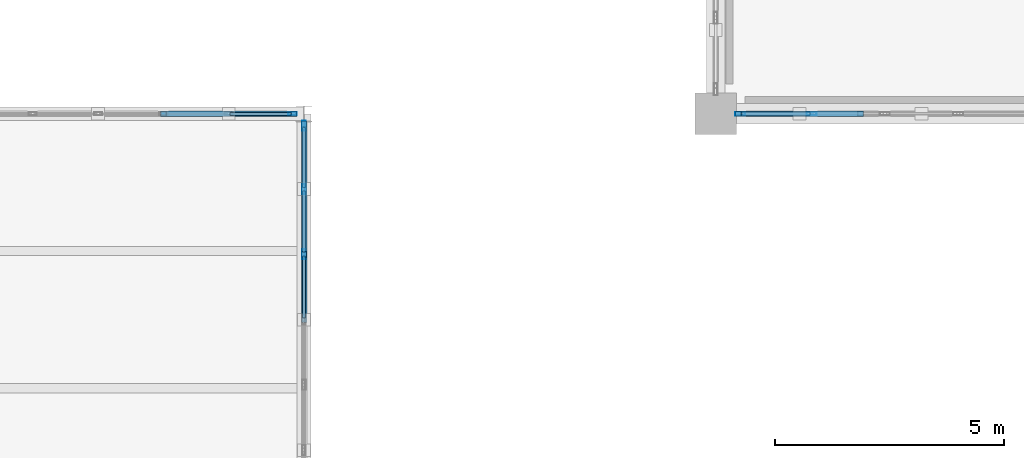
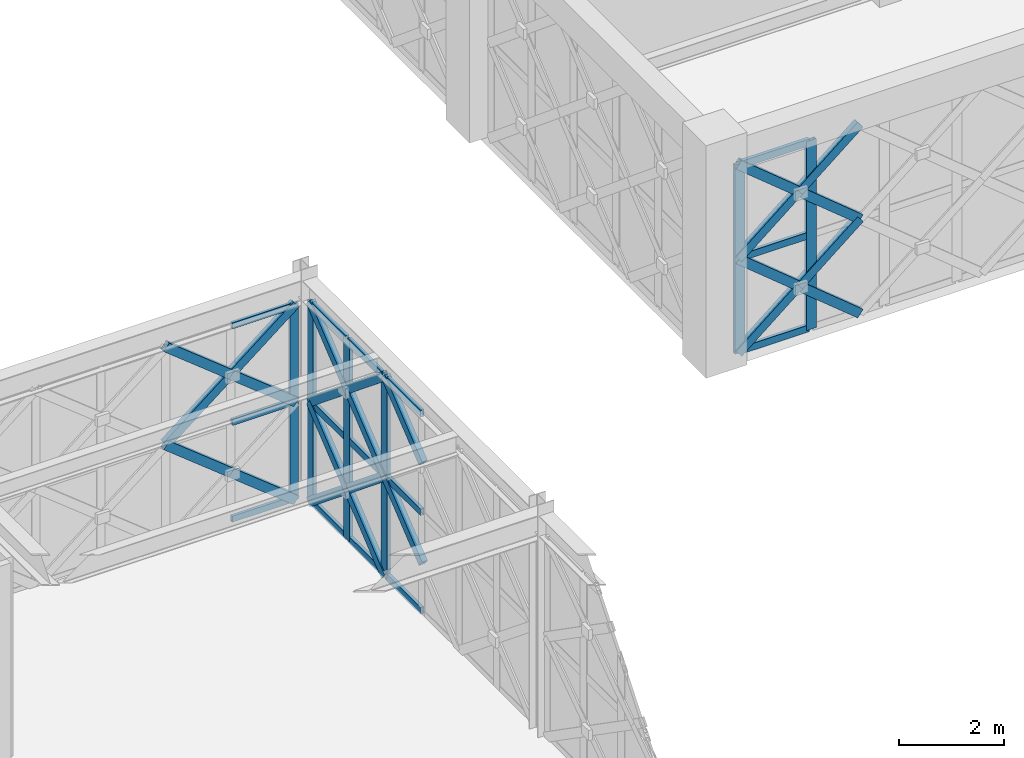
# One storey, part 44 of 166: 40 members, 3 elements without a shape of their own.
"""IFC4 building model written with IfcOpenShell, lengths in metres."""

from ifc_helpers import new_model, si_unit, direction, frame, origin, origin_2d, place, context, subcontext, project, spatial, hollow_rectangle, extrude, material, material_profile, profile_set, type_object, element, aggregate, save


model = new_model("IFC4")

# Units and contexts
model_context = context("Model", 3, precision=1e-05, world=origin(), true_north=direction((0.0, 1.0)))
body_context = subcontext(model_context, "Body", "Model", "MODEL_VIEW")
ifc_project = project(units=[si_unit("LENGTHUNIT", "METRE"), si_unit("AREAUNIT", "SQUARE_METRE"), si_unit("VOLUMEUNIT", "CUBIC_METRE"), si_unit("PLANEANGLEUNIT", "RADIAN"), si_unit("MASSUNIT", "GRAM", prefix="KILO")], contexts=[model_context])

# Site, building, storey
site_placement = place(None, origin())
site = spatial("IfcSite", under=ifc_project, at=site_placement, CompositionType="ELEMENT")
building_placement = place(site_placement, origin())
building = spatial("IfcBuilding", under=site, at=building_placement, Name="Haizhuo Lancet Aquarium", CompositionType="ELEMENT")
storey_placement = place(building_placement, frame((0.0, 0.0, 5.39990234375)))
storey = spatial("IfcBuildingStorey", under=building, at=storey_placement, Name="L01", CompositionType="ELEMENT", Elevation=5.39990234375)

# Curtain wall, member
ifc_material_1 = material(Name="Aluminium 6063-T6", Category="aluminium")
curtain_wall_type_1 = type_object("IfcCurtainWallType", Name="CWO-8560x4550", PredefinedType="NOTDEFINED", material=ifc_material_1)
curtain_wall_1_placement = place(storey_placement, origin())
curtain_wall_1 = element("IfcCurtainWall", 1, at=curtain_wall_1_placement, inside=storey, type_object=curtain_wall_type_1, Name="L01 curtain wall CW-V4-L01-094", PredefinedType="NOTDEFINED")
ifc_material_profile_1 = material_profile(ifc_material_1, hollow_rectangle(XDim=0.06494140625, YDim=0.179931640625, WallThickness=0.00390625, at=origin_2d()), Name="ALU-M 65x180x4")
ifc_profile_set_1 = profile_set([ifc_material_profile_1], Name="Aluminium 6063-T6")
member_type_1 = type_object("IfcMemberType", Name="CW-MUL-1", PredefinedType="MULLION", material=ifc_profile_set_1)
member_1_placement = place(storey_placement, frame((17.748046875, -36.0, 0.0), z_axis=(0.0, 0.0, 1.0), x_axis=(0.0, 1.0, 0.0)))
member_1 = element("IfcMember", 2, at=member_1_placement, type_object=member_type_1, Name="CWO-85x45 mullion 7", PredefinedType="MULLION", context=body_context, shape_type="SweptSolid", body=[
    extrude(hollow_rectangle(XDim=0.06494140625, YDim=0.179931640625, WallThickness=0.00390625, at=origin_2d()), origin(), (0.0, 0.0, 1.0), 4.552001953125),
])

# Curtain wall, members
curtain_wall_type_2 = type_object("IfcCurtainWallType", Name="CWO-8010x4390", PredefinedType="NOTDEFINED", material=ifc_material_1)
curtain_wall_2_placement = place(storey_placement, origin())
curtain_wall_2 = element("IfcCurtainWall", 3, at=curtain_wall_2_placement, inside=storey, type_object=curtain_wall_type_2, Name="L01 curtain wall CW-V3-L01-047", PredefinedType="NOTDEFINED")
ifc_material_profile_2 = material_profile(ifc_material_1, hollow_rectangle(XDim=0.074951171875, YDim=0.219970703125, WallThickness=0.0048828125, at=origin_2d()), Name="ALU-M 75x220x5")
ifc_profile_set_2 = profile_set([ifc_material_profile_2], Name="Aluminium 6063-T6")
member_type_2 = type_object("IfcMemberType", Name="CW-MUL-2", PredefinedType="MULLION", material=ifc_profile_set_2)
member_2_placement = place(storey_placement, frame((29.096923828125, -36.0, 0.0), z_axis=(0.0, 0.0, 1.0), x_axis=(0.0, -1.0, 0.0)))
member_2 = element("IfcMember", 4, at=member_2_placement, type_object=member_type_2, Name="CWO-80x43 mullion 5", PredefinedType="MULLION", context=body_context, shape_type="SweptSolid", body=[
    extrude(hollow_rectangle(XDim=0.074951171875, YDim=0.219970703125, WallThickness=0.0048828125, at=origin_2d()), origin(), (0.0, 0.0, 1.0), 4.39013671875),
])
member_3_placement = place(storey_placement, frame((27.531982421875, -36.0, 0.0), z_axis=(0.0, 0.0, 1.0), x_axis=(0.0, -1.0, 0.0)))
member_3 = element("IfcMember", 5, at=member_3_placement, type_object=member_type_2, Name="CWO-80x43 mullion 6", PredefinedType="MULLION", context=body_context, shape_type="SweptSolid", body=[
    extrude(hollow_rectangle(XDim=0.074951171875, YDim=0.219970703125, WallThickness=0.0048828125, at=origin_2d()), origin(), (0.0, 0.0, 1.0), 4.39013671875),
])

curtain_wall_type_3 = type_object("IfcCurtainWallType", Name="CWO-8560x4650", PredefinedType="NOTDEFINED", material=ifc_material_1)
curtain_wall_3_placement = place(storey_placement, origin())
curtain_wall_3 = element("IfcCurtainWall", 6, at=curtain_wall_3_placement, inside=storey, type_object=curtain_wall_type_3, Name="L01 curtain wall CW-V4-L01-095", PredefinedType="NOTDEFINED")
member_4_placement = place(storey_placement, frame((18.0, -36.258056640625, 0.0), z_axis=(0.0, 0.0, 1.0), x_axis=(1.0, 0.0, 0.0)))
member_4 = element("IfcMember", 7, at=member_4_placement, type_object=member_type_2, Name="CWO-85x46 mullion 1", PredefinedType="MULLION", context=body_context, shape_type="SweptSolid", body=[
    extrude(hollow_rectangle(XDim=0.074951171875, YDim=0.219970703125, WallThickness=0.0048828125, at=origin_2d()), origin(), (0.0, 0.0, 1.0), 4.652099609375),
])
member_5_placement = place(storey_placement, frame((18.0, -37.64697265625, 0.0), z_axis=(0.0, 0.0, 1.0), x_axis=(1.0, 0.0, 0.0)))
member_5 = element("IfcMember", 8, at=member_5_placement, type_object=member_type_2, Name="CWO-85x46 mullion 2", PredefinedType="MULLION", context=body_context, shape_type="SweptSolid", body=[
    extrude(hollow_rectangle(XDim=0.074951171875, YDim=0.219970703125, WallThickness=0.0048828125, at=origin_2d()), origin(), (0.0, 0.0, 1.0), 4.652099609375),
])
member_6_placement = place(storey_placement, frame((18.0, -39.072998046875, 0.0), z_axis=(0.0, 0.0, 1.0), x_axis=(1.0, 0.0, 0.0)))
member_6 = element("IfcMember", 9, at=member_6_placement, type_object=member_type_2, Name="CWO-85x46 mullion 3", PredefinedType="MULLION", context=body_context, shape_type="SweptSolid", body=[
    extrude(hollow_rectangle(XDim=0.074951171875, YDim=0.219970703125, WallThickness=0.0048828125, at=origin_2d()), origin(), (0.0, 0.0, 1.0), 4.652099609375),
])

# Member
ifc_material_profile_3 = material_profile(ifc_material_1, hollow_rectangle(XDim=0.06494140625, YDim=0.139892578125, WallThickness=0.00390625, at=origin_2d()), Name="ALU-T 65x140x4")
ifc_profile_set_3 = profile_set([ifc_material_profile_3], Name="Aluminium 6063-T6")
member_type_3 = type_object("IfcMemberType", Name="CW-TRN-1", PredefinedType="NOTDEFINED", material=ifc_profile_set_3)
member_7_placement = place(storey_placement, frame((16.385986328125, -36.0, 0.033203125), z_axis=(1.0, 0.0, 0.0), x_axis=(0.0, 1.0, 0.0)))
member_7 = element("IfcMember", 10, at=member_7_placement, type_object=member_type_3, Name="CWO-85x45 transom 6.1", ObjectType="TRANSOM", PredefinedType="USERDEFINED", context=body_context, shape_type="SweptSolid", body=[
    extrude(hollow_rectangle(XDim=0.06494140625, YDim=0.139892578125, WallThickness=0.00390625, at=origin_2d()), origin(), (0.0, 0.0, 1.0), 1.3291015625),
])

member_8_placement = place(storey_placement, frame((16.385986328125, -36.0, 2.276123046875), z_axis=(1.0, 0.0, 0.0), x_axis=(0.0, 1.0, 0.0)))
member_8 = element("IfcMember", 11, at=member_8_placement, type_object=member_type_3, Name="CWO-85x45 transom 6.2", ObjectType="TRANSOM", PredefinedType="USERDEFINED", context=body_context, shape_type="SweptSolid", body=[
    extrude(hollow_rectangle(XDim=0.06494140625, YDim=0.139892578125, WallThickness=0.00390625, at=origin_2d()), origin(), (0.0, 0.0, 1.0), 1.3291015625),
])

member_9_placement = place(storey_placement, frame((16.385986328125, -36.0, 4.51904296875), z_axis=(1.0, 0.0, 0.0), x_axis=(0.0, 1.0, 0.0)))
member_9 = element("IfcMember", 12, at=member_9_placement, type_object=member_type_3, Name="CWO-85x45 transom 6.3", ObjectType="TRANSOM", PredefinedType="USERDEFINED", context=body_context, shape_type="SweptSolid", body=[
    extrude(hollow_rectangle(XDim=0.06494140625, YDim=0.139892578125, WallThickness=0.00390625, at=origin_2d()), origin(), (0.0, 0.0, 1.0), 1.3291015625),
])

aggregate(curtain_wall_1, [member_1, member_7, member_8, member_9])

ifc_material_profile_4 = material_profile(ifc_material_1, hollow_rectangle(XDim=0.074951171875, YDim=0.159912109375, WallThickness=0.00390625, at=origin_2d()), Name="ALU-T 75x160x4")
ifc_profile_set_4 = profile_set([ifc_material_profile_4], Name="Aluminium 6063-T6")
member_type_4 = type_object("IfcMemberType", Name="CW-TRN-2", PredefinedType="NOTDEFINED", material=ifc_profile_set_4)
member_10_placement = place(storey_placement, frame((29.05908203125, -36.0, 0.0380859375), z_axis=(-1.0, 0.0, 0.0), x_axis=(0.0, -1.0, 0.0)))
member_10 = element("IfcMember", 13, at=member_10_placement, type_object=member_type_4, Name="CWO-80x43 transom 5.1", ObjectType="TRANSOM", PredefinedType="USERDEFINED", context=body_context, shape_type="SweptSolid", body=[
    extrude(hollow_rectangle(XDim=0.074951171875, YDim=0.159912109375, WallThickness=0.00390625, at=origin_2d()), origin(), (0.0, 0.0, 1.0), 1.489013671875),
])

member_11_placement = place(storey_placement, frame((29.05908203125, -36.0, 2.195068359375), z_axis=(-1.0, 0.0, 0.0), x_axis=(0.0, -1.0, 0.0)))
member_11 = element("IfcMember", 14, at=member_11_placement, type_object=member_type_4, Name="CWO-80x43 transom 5.2", ObjectType="TRANSOM", PredefinedType="USERDEFINED", context=body_context, shape_type="SweptSolid", body=[
    extrude(hollow_rectangle(XDim=0.074951171875, YDim=0.159912109375, WallThickness=0.00390625, at=origin_2d()), origin(), (0.0, 0.0, 1.0), 1.489013671875),
])

member_12_placement = place(storey_placement, frame((29.05908203125, -36.0, 4.35205078125), z_axis=(-1.0, 0.0, 0.0), x_axis=(0.0, -1.0, 0.0)))
member_12 = element("IfcMember", 15, at=member_12_placement, type_object=member_type_4, Name="CWO-80x43 transom 5.3", ObjectType="TRANSOM", PredefinedType="USERDEFINED", context=body_context, shape_type="SweptSolid", body=[
    extrude(hollow_rectangle(XDim=0.074951171875, YDim=0.159912109375, WallThickness=0.00390625, at=origin_2d()), origin(), (0.0, 0.0, 1.0), 1.489013671875),
])

aggregate(curtain_wall_2, [member_2, member_3, member_10, member_11, member_12])

member_13_placement = place(storey_placement, frame((18.0, -36.294921875, 0.0380859375), z_axis=(0.0, -1.0, 0.0), x_axis=(1.0, 0.0, 0.0)))
member_13 = element("IfcMember", 16, at=member_13_placement, type_object=member_type_4, Name="CWO-85x46 transom 1.1", ObjectType="TRANSOM", PredefinedType="USERDEFINED", context=body_context, shape_type="SweptSolid", body=[
    extrude(hollow_rectangle(XDim=0.074951171875, YDim=0.159912109375, WallThickness=0.00390625, at=origin_2d()), origin(), (0.0, 0.0, 1.0), 1.31396484375),
])

member_14_placement = place(storey_placement, frame((18.0, -36.294921875, 2.326171875), z_axis=(0.0, -1.0, 0.0), x_axis=(1.0, 0.0, 0.0)))
member_14 = element("IfcMember", 17, at=member_14_placement, type_object=member_type_4, Name="CWO-85x46 transom 1.2", ObjectType="TRANSOM", PredefinedType="USERDEFINED", context=body_context, shape_type="SweptSolid", body=[
    extrude(hollow_rectangle(XDim=0.074951171875, YDim=0.159912109375, WallThickness=0.00390625, at=origin_2d()), origin(), (0.0, 0.0, 1.0), 1.31396484375),
])

member_15_placement = place(storey_placement, frame((18.0, -36.294921875, 4.614013671875), z_axis=(0.0, -1.0, 0.0), x_axis=(1.0, 0.0, 0.0)))
member_15 = element("IfcMember", 18, at=member_15_placement, type_object=member_type_4, Name="CWO-85x46 transom 1.3", ObjectType="TRANSOM", PredefinedType="USERDEFINED", context=body_context, shape_type="SweptSolid", body=[
    extrude(hollow_rectangle(XDim=0.074951171875, YDim=0.159912109375, WallThickness=0.00390625, at=origin_2d()), origin(), (0.0, 0.0, 1.0), 1.31396484375),
])

member_16_placement = place(storey_placement, frame((18.0, -37.68408203125, 0.0380859375), z_axis=(0.0, -1.0, 0.0), x_axis=(1.0, 0.0, 0.0)))
member_16 = element("IfcMember", 19, at=member_16_placement, type_object=member_type_4, Name="CWO-85x46 transom 2.1", ObjectType="TRANSOM", PredefinedType="USERDEFINED", context=body_context, shape_type="SweptSolid", body=[
    extrude(hollow_rectangle(XDim=0.074951171875, YDim=0.159912109375, WallThickness=0.00390625, at=origin_2d()), origin(), (0.0, 0.0, 1.0), 1.351806640625),
])

member_17_placement = place(storey_placement, frame((18.0, -37.68408203125, 2.326171875), z_axis=(0.0, -1.0, 0.0), x_axis=(1.0, 0.0, 0.0)))
member_17 = element("IfcMember", 20, at=member_17_placement, type_object=member_type_4, Name="CWO-85x46 transom 2.2", ObjectType="TRANSOM", PredefinedType="USERDEFINED", context=body_context, shape_type="SweptSolid", body=[
    extrude(hollow_rectangle(XDim=0.074951171875, YDim=0.159912109375, WallThickness=0.00390625, at=origin_2d()), origin(), (0.0, 0.0, 1.0), 1.351806640625),
])

member_18_placement = place(storey_placement, frame((18.0, -37.68408203125, 4.614013671875), z_axis=(0.0, -1.0, 0.0), x_axis=(1.0, 0.0, 0.0)))
member_18 = element("IfcMember", 21, at=member_18_placement, type_object=member_type_4, Name="CWO-85x46 transom 2.3", ObjectType="TRANSOM", PredefinedType="USERDEFINED", context=body_context, shape_type="SweptSolid", body=[
    extrude(hollow_rectangle(XDim=0.074951171875, YDim=0.159912109375, WallThickness=0.00390625, at=origin_2d()), origin(), (0.0, 0.0, 1.0), 1.351806640625),
])

member_19_placement = place(storey_placement, frame((18.0, -39.111083984375, 0.0380859375), z_axis=(0.0, -1.0, 0.0), x_axis=(1.0, 0.0, 0.0)))
member_19 = element("IfcMember", 22, at=member_19_placement, type_object=member_type_4, Name="CWO-85x46 transom 3.1", ObjectType="TRANSOM", PredefinedType="USERDEFINED", context=body_context, shape_type="SweptSolid", body=[
    extrude(hollow_rectangle(XDim=0.074951171875, YDim=0.159912109375, WallThickness=0.00390625, at=origin_2d()), origin(), (0.0, 0.0, 1.0), 1.350830078125),
])

member_20_placement = place(storey_placement, frame((18.0, -39.111083984375, 2.326171875), z_axis=(0.0, -1.0, 0.0), x_axis=(1.0, 0.0, 0.0)))
member_20 = element("IfcMember", 23, at=member_20_placement, type_object=member_type_4, Name="CWO-85x46 transom 3.2", ObjectType="TRANSOM", PredefinedType="USERDEFINED", context=body_context, shape_type="SweptSolid", body=[
    extrude(hollow_rectangle(XDim=0.074951171875, YDim=0.159912109375, WallThickness=0.00390625, at=origin_2d()), origin(), (0.0, 0.0, 1.0), 1.350830078125),
])

member_21_placement = place(storey_placement, frame((18.0, -39.111083984375, 4.614013671875), z_axis=(0.0, -1.0, 0.0), x_axis=(1.0, 0.0, 0.0)))
member_21 = element("IfcMember", 24, at=member_21_placement, type_object=member_type_4, Name="CWO-85x46 transom 3.3", ObjectType="TRANSOM", PredefinedType="USERDEFINED", context=body_context, shape_type="SweptSolid", body=[
    extrude(hollow_rectangle(XDim=0.074951171875, YDim=0.159912109375, WallThickness=0.00390625, at=origin_2d()), origin(), (0.0, 0.0, 1.0), 1.350830078125),
])

aggregate(curtain_wall_3, [member_4, member_5, member_6, member_13, member_14, member_15, member_16, member_17, member_18, member_19, member_20, member_21])

# Members
ifc_material_2 = material(Name="Steel S355", Category="steel")
ifc_material_profile_5 = material_profile(ifc_material_2, hollow_rectangle(XDim=0.1201171875, YDim=0.199951171875, WallThickness=0.008056640625, at=origin_2d()), Name="RHS 120x200x8")
ifc_profile_set_5 = profile_set([ifc_material_profile_5], Name="Steel S355")
member_type_5 = type_object("IfcMemberType", Name="MEM-LB-RHS120x200", PredefinedType="BRACE", material=ifc_profile_set_5)
member_22_placement = place(storey_placement, frame((30.1650390625, -36.0, 0.0), z_axis=(-0.772453976084, 0.0, 0.635070747895), x_axis=(0.0, -1.0, 0.0)))
element("IfcMember", 25, at=member_22_placement, inside=storey, type_object=member_type_5, Name="Gothic lancet continuous diagonal brace CW-V3-L01-047 5A", PredefinedType="BRACE", context=body_context, shape_type="SweptSolid", body=[
    extrude(hollow_rectangle(XDim=0.1201171875, YDim=0.199951171875, WallThickness=0.008056640625, at=origin_2d()), origin(), (0.0, 0.0, 1.0), 3.456298828125),
])
member_23_placement = place(storey_placement, frame((27.4951171875, -36.0, 0.0), z_axis=(0.772280733977, 0.0, 0.635281408454), x_axis=(0.0, 1.0, 0.0)))
element("IfcMember", 26, at=member_23_placement, inside=storey, type_object=member_type_5, Name="Gothic lancet split diagonal brace CW-V3-L01-047 5B1", PredefinedType="BRACE", context=body_context, shape_type="SweptSolid", body=[
    extrude(hollow_rectangle(XDim=0.1201171875, YDim=0.199951171875, WallThickness=0.008056640625, at=origin_2d()), origin(), (0.0, 0.0, 1.0), 1.728515625),
])
member_24_placement = place(storey_placement, frame((28.830078125, -36.0, 1.09814453125), z_axis=(0.772627238419, 0.0, 0.634859945541), x_axis=(0.0, 1.0, 0.0)))
element("IfcMember", 27, at=member_24_placement, inside=storey, type_object=member_type_5, Name="Gothic lancet split diagonal brace CW-V3-L01-047 5B2", PredefinedType="BRACE", context=body_context, shape_type="SweptSolid", body=[
    extrude(hollow_rectangle(XDim=0.1201171875, YDim=0.199951171875, WallThickness=0.008056640625, at=origin_2d()), origin(), (0.0, 0.0, 1.0), 1.727783203125),
])
member_25_placement = place(storey_placement, frame((30.1650390625, -36.0, 2.195068359375), z_axis=(-0.772453976084, 0.0, 0.635070747895), x_axis=(0.0, -1.0, 0.0)))
element("IfcMember", 28, at=member_25_placement, inside=storey, type_object=member_type_5, Name="Gothic lancet continuous diagonal brace CW-V3-L01-047 6A", PredefinedType="BRACE", context=body_context, shape_type="SweptSolid", body=[
    extrude(hollow_rectangle(XDim=0.1201171875, YDim=0.199951171875, WallThickness=0.008056640625, at=origin_2d()), origin(), (0.0, 0.0, 1.0), 3.456298828125),
])
member_26_placement = place(storey_placement, frame((27.4951171875, -36.0, 2.195068359375), z_axis=(0.772627238419, 0.0, 0.634859945541), x_axis=(0.0, 1.0, 0.0)))
element("IfcMember", 29, at=member_26_placement, inside=storey, type_object=member_type_5, Name="Gothic lancet split diagonal brace CW-V3-L01-047 6B1", PredefinedType="BRACE", context=body_context, shape_type="SweptSolid", body=[
    extrude(hollow_rectangle(XDim=0.1201171875, YDim=0.199951171875, WallThickness=0.008056640625, at=origin_2d()), origin(), (0.0, 0.0, 1.0), 1.727783203125),
])
member_27_placement = place(storey_placement, frame((28.830078125, -36.0, 3.2919921875), z_axis=(0.772280733977, 0.0, 0.635281408454), x_axis=(0.0, 1.0, 0.0)))
element("IfcMember", 30, at=member_27_placement, inside=storey, type_object=member_type_5, Name="Gothic lancet split diagonal brace CW-V3-L01-047 6B2", PredefinedType="BRACE", context=body_context, shape_type="SweptSolid", body=[
    extrude(hollow_rectangle(XDim=0.1201171875, YDim=0.199951171875, WallThickness=0.008056640625, at=origin_2d()), origin(), (0.0, 0.0, 1.0), 1.728515625),
])
member_28_placement = place(storey_placement, frame((17.780029296875, -36.0, 0.0), z_axis=(-0.78157325262, 0.0, 0.623813474356), x_axis=(0.0, -1.0, 0.0)))
element("IfcMember", 31, at=member_28_placement, inside=storey, type_object=member_type_5, Name="Gothic lancet split diagonal brace CW-V4-L01-094 5B1", PredefinedType="BRACE", context=body_context, shape_type="SweptSolid", body=[
    extrude(hollow_rectangle(XDim=0.1201171875, YDim=0.199951171875, WallThickness=0.008056640625, at=origin_2d()), origin(), (0.0, 0.0, 1.0), 1.824462890625),
])
member_29_placement = place(storey_placement, frame((16.35400390625, -36.0, 1.13818359375), z_axis=(-0.781846607014, 0.0, 0.623470835807), x_axis=(0.0, -1.0, 0.0)))
element("IfcMember", 32, at=member_29_placement, inside=storey, type_object=member_type_5, Name="Gothic lancet split diagonal brace CW-V4-L01-094 5B2", PredefinedType="BRACE", context=body_context, shape_type="SweptSolid", body=[
    extrude(hollow_rectangle(XDim=0.1201171875, YDim=0.199951171875, WallThickness=0.008056640625, at=origin_2d()), origin(), (0.0, 0.0, 1.0), 1.8251953125),
])
member_30_placement = place(storey_placement, frame((14.927001953125, -36.0, 2.276123046875), z_axis=(0.781742582524, 0.0, 0.623601262561), x_axis=(0.0, 1.0, 0.0)))
element("IfcMember", 33, at=member_30_placement, inside=storey, type_object=member_type_5, Name="Gothic lancet continuous diagonal brace CW-V4-L01-094 6A", PredefinedType="BRACE", context=body_context, shape_type="SweptSolid", body=[
    extrude(hollow_rectangle(XDim=0.1201171875, YDim=0.199951171875, WallThickness=0.008056640625, at=origin_2d()), origin(), (0.0, 0.0, 1.0), 3.649658203125),
])
member_31_placement = place(storey_placement, frame((17.780029296875, -36.0, 2.276123046875), z_axis=(-0.781638492735, 0.0, 0.623731726526), x_axis=(0.0, -1.0, 0.0)))
element("IfcMember", 34, at=member_31_placement, inside=storey, type_object=member_type_5, Name="Gothic lancet split diagonal brace CW-V4-L01-094 6B1", PredefinedType="BRACE", context=body_context, shape_type="SweptSolid", body=[
    extrude(hollow_rectangle(XDim=0.1201171875, YDim=0.199951171875, WallThickness=0.008056640625, at=origin_2d()), origin(), (0.0, 0.0, 1.0), 1.824462890625),
])
member_32_placement = place(storey_placement, frame((16.35400390625, -36.0, 3.4140625), z_axis=(-0.781846607014, 0.0, 0.623470835807), x_axis=(0.0, -1.0, 0.0)))
element("IfcMember", 35, at=member_32_placement, inside=storey, type_object=member_type_5, Name="Gothic lancet split diagonal brace CW-V4-L01-094 6B2", PredefinedType="BRACE", context=body_context, shape_type="SweptSolid", body=[
    extrude(hollow_rectangle(XDim=0.1201171875, YDim=0.199951171875, WallThickness=0.008056640625, at=origin_2d()), origin(), (0.0, 0.0, 1.0), 1.8251953125),
])
member_33_placement = place(storey_placement, frame((18.0, -36.219970703125, 0.0), z_axis=(0.0, -0.775037676978, 0.631915025351), x_axis=(1.0, 0.0, 0.0)))
element("IfcMember", 36, at=member_33_placement, inside=storey, type_object=member_type_5, Name="Gothic lancet continuous diagonal brace CW-V4-L01-095 1A", PredefinedType="BRACE", context=body_context, shape_type="SweptSolid", body=[
    extrude(hollow_rectangle(XDim=0.1201171875, YDim=0.199951171875, WallThickness=0.008056640625, at=origin_2d()), origin(), (0.0, 0.0, 1.0), 3.68115234375),
])
member_34_placement = place(storey_placement, frame((18.0, -39.072998046875, 0.0), z_axis=(0.0, 0.774931710564, 0.63204496989), x_axis=(-1.0, 0.0, 0.0)))
element("IfcMember", 37, at=member_34_placement, inside=storey, type_object=member_type_5, Name="Gothic lancet split diagonal brace CW-V4-L01-095 1B1", PredefinedType="BRACE", context=body_context, shape_type="SweptSolid", body=[
    extrude(hollow_rectangle(XDim=0.1201171875, YDim=0.199951171875, WallThickness=0.008056640625, at=origin_2d()), origin(), (0.0, 0.0, 1.0), 1.840087890625),
])
member_35_placement = place(storey_placement, frame((18.0, -37.64697265625, 1.1630859375), z_axis=(0.0, 0.77514357805, 0.631785116481), x_axis=(-1.0, 0.0, 0.0)))
element("IfcMember", 38, at=member_35_placement, inside=storey, type_object=member_type_5, Name="Gothic lancet split diagonal brace CW-V4-L01-095 1B2", PredefinedType="BRACE", context=body_context, shape_type="SweptSolid", body=[
    extrude(hollow_rectangle(XDim=0.1201171875, YDim=0.199951171875, WallThickness=0.008056640625, at=origin_2d()), origin(), (0.0, 0.0, 1.0), 1.841064453125),
])
member_36_placement = place(storey_placement, frame((18.0, -36.219970703125, 2.326171875), z_axis=(0.0, -0.775070158992, 0.631875184384), x_axis=(1.0, 0.0, 0.0)))
element("IfcMember", 39, at=member_36_placement, inside=storey, type_object=member_type_5, Name="Gothic lancet continuous diagonal brace CW-V4-L01-095 2A", PredefinedType="BRACE", context=body_context, shape_type="SweptSolid", body=[
    extrude(hollow_rectangle(XDim=0.1201171875, YDim=0.199951171875, WallThickness=0.008056640625, at=origin_2d()), origin(), (0.0, 0.0, 1.0), 3.680908203125),
])
member_37_placement = place(storey_placement, frame((18.0, -39.072998046875, 2.326171875), z_axis=(0.0, 0.774996693103, 0.63196528835), x_axis=(-1.0, 0.0, 0.0)))
element("IfcMember", 40, at=member_37_placement, inside=storey, type_object=member_type_5, Name="Gothic lancet split diagonal brace CW-V4-L01-095 2B1", PredefinedType="BRACE", context=body_context, shape_type="SweptSolid", body=[
    extrude(hollow_rectangle(XDim=0.1201171875, YDim=0.199951171875, WallThickness=0.008056640625, at=origin_2d()), origin(), (0.0, 0.0, 1.0), 1.840087890625),
])
for number, where, z_axis, x_axis, name in (
    (41, (18.0, -37.64697265625, 3.489013671875), (0.0, 0.77514357805, 0.631785116481), (-1.0, 0.0, 0.0), "Gothic lancet split diagonal brace CW-V4-L01-095 2B2"),
    (42, (18.0, -40.5, 1.1630859375), (0.0, 0.77514357805, 0.631785116481), (-1.0, 0.0, 0.0), "Gothic lancet split diagonal brace CW-V4-L01-095 3B2"),
    (43, (18.0, -40.5, 3.489013671875), (0.0, 0.77514357805, 0.631785116481), (-1.0, 0.0, 0.0), "Gothic lancet split diagonal brace CW-V4-L01-095 4B2"),
):
    element("IfcMember", number, at=place(storey_placement, frame(where, z_axis=z_axis, x_axis=x_axis)), inside=storey, type_object=member_type_5, Name=name, PredefinedType="BRACE", context=body_context, shape_type="SweptSolid", body=[
        extrude(hollow_rectangle(XDim=0.1201171875, YDim=0.199951171875, WallThickness=0.008056640625, at=origin_2d()), origin(), (0.0, 0.0, 1.0), 1.841064453125),
    ])

save(model, "model.ifc")
